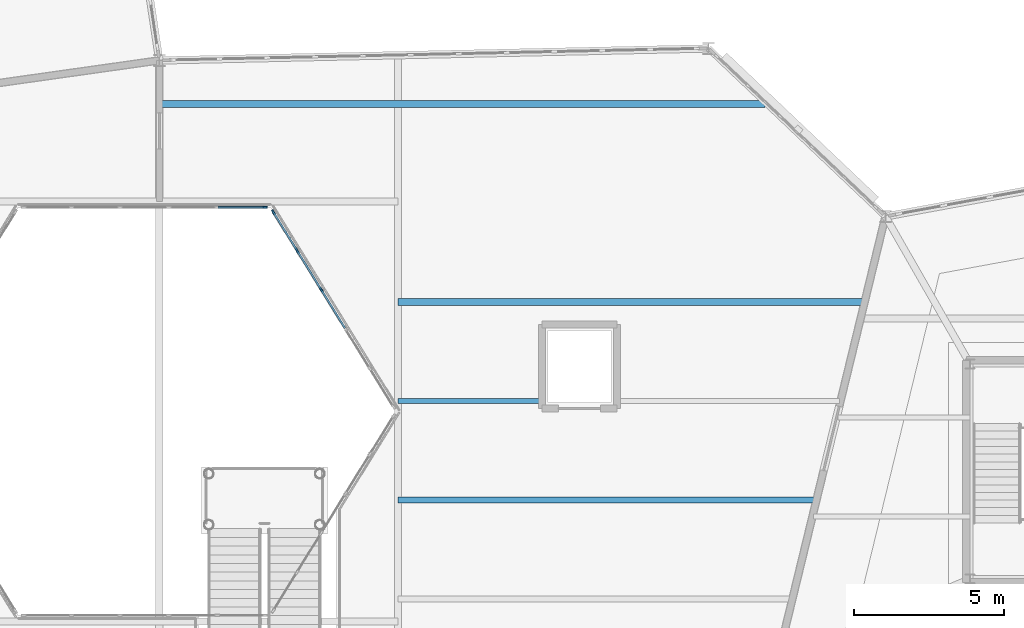
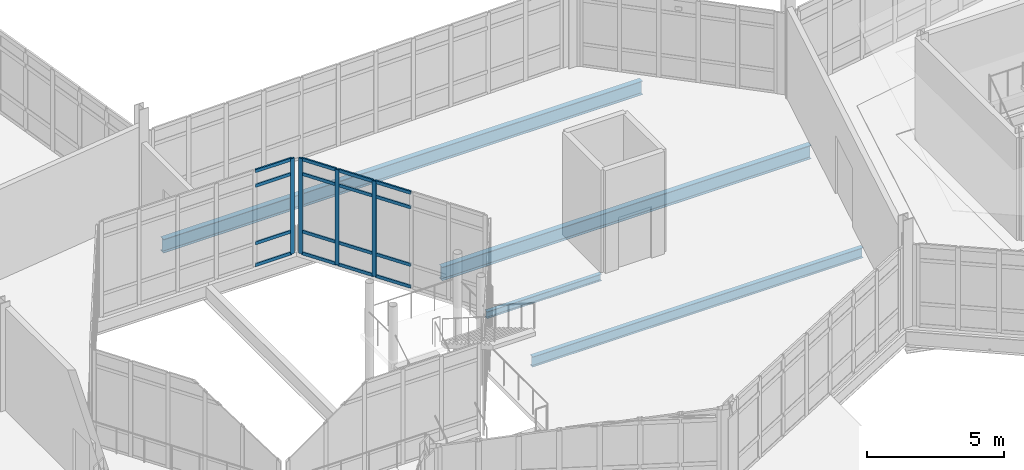
# One storey, part 45 of 134: 20 members, 4 beams, 2 elements without a shape of their own.
"""IFC4 building model written with IfcOpenShell, lengths in metres."""

from ifc_helpers import new_model, si_unit, direction, frame, origin, origin_2d, place, context, subcontext, project, spatial, rectangle, i_section, extrude, material, material_profile, profile_set, type_object, element, aggregate, save


model = new_model("IFC4")

# Units and contexts
model_context = context("Model", 3, precision=1e-05, world=origin(), true_north=direction((0.0, 1.0)))
body_context = subcontext(model_context, "Body", "Model", "MODEL_VIEW")
ifc_project = project(units=[si_unit("LENGTHUNIT", "METRE"), si_unit("AREAUNIT", "SQUARE_METRE"), si_unit("VOLUMEUNIT", "CUBIC_METRE"), si_unit("PLANEANGLEUNIT", "RADIAN"), si_unit("MASSUNIT", "GRAM", prefix="KILO")], contexts=[model_context])

# Site, building, storey
site_placement = place(None, origin())
site = spatial("IfcSite", under=ifc_project, at=site_placement, CompositionType="ELEMENT")
building_placement = place(site_placement, origin())
building = spatial("IfcBuilding", under=site, at=building_placement, Name="Tameran Prism Museum", CompositionType="ELEMENT")
storey_placement = place(building_placement, frame((0.0, 0.0, 5.39990234375)))
storey = spatial("IfcBuildingStorey", under=building, at=storey_placement, Name="L01", CompositionType="ELEMENT", Elevation=5.39990234375)

# Beams
ifc_material_1 = material(Name="Steel Grade 300PLUS (300 MPa)", Category="steel")
ifc_material_profile_1 = material_profile(ifc_material_1, i_section(OverallWidth=0.1650390625, OverallDepth=0.303955078125, WebThickness=0.006103515625, FlangeThickness=0.01025390625, FilletRadius=0.011474609375, at=origin_2d()))
ifc_profile_set_1 = profile_set([ifc_material_profile_1])
beam_type_1 = type_object("IfcBeamType", Name="BM-J310B", PredefinedType="JOIST", material=ifc_profile_set_1)
beam_1_placement = place(storey_placement, frame((85.449951171875, 36.85009765625, -0.351806640625), z_axis=(1.0, 0.0, 0.0), x_axis=(0.0, 1.0, 0.0)))
element("IfcBeam", 1, at=beam_1_placement, inside=storey, type_object=beam_type_1, Name="Floor Beam BM-0547", PredefinedType="JOIST", context=body_context, shape_type="SweptSolid", body=[
    extrude(i_section(OverallWidth=0.1650390625, OverallDepth=0.303955078125, WebThickness=0.006103515625, FlangeThickness=0.01025390625, FilletRadius=0.011474609375, at=origin_2d()), origin(), (0.0, 0.0, 1.0), 4.820068359375),
])
ifc_material_2 = material(Name="Steel Grade 300PLUS (300 MPa)", Category="steel")
ifc_material_profile_2 = material_profile(ifc_material_2, i_section(OverallWidth=0.18994140625, OverallDepth=0.4541015625, WebThickness=0.008544921875, FlangeThickness=0.0126953125, FilletRadius=0.011474609375, at=origin_2d()))
ifc_profile_set_2 = profile_set([ifc_material_profile_2])
beam_type_2 = type_object("IfcBeamType", Name="BM-J460B", PredefinedType="JOIST", material=ifc_profile_set_2)
beam_2_placement = place(storey_placement, frame((85.449951171875, 33.550048828125, -0.427001953125), z_axis=(1.0, 0.0, 0.0), x_axis=(0.0, 1.0, 0.0)))
element("IfcBeam", 2, at=beam_2_placement, inside=storey, type_object=beam_type_2, Name="Floor Beam BM-0546", PredefinedType="JOIST", context=body_context, shape_type="SweptSolid", body=[
    extrude(i_section(OverallWidth=0.18994140625, OverallDepth=0.4541015625, WebThickness=0.008544921875, FlangeThickness=0.0126953125, FilletRadius=0.011474609375, at=origin_2d()), origin(), (0.0, 0.0, 1.0), 13.91015625),
])
ifc_material_3 = material(Name="Steel Grade 300PLUS (300 MPa)", Category="steel")
ifc_material_profile_3 = material_profile(ifc_material_3, i_section(OverallWidth=0.22802734375, OverallDepth=0.60693359375, WebThickness=0.01123046875, FlangeThickness=0.017333984375, FilletRadius=0.013916015625, at=origin_2d()))
ifc_profile_set_3 = profile_set([ifc_material_profile_3])
beam_type_3 = type_object("IfcBeamType", Name="BM-UB610B", PredefinedType="BEAM", material=ifc_profile_set_3)
beam_3_placement = place(storey_placement, frame((85.449951171875, 40.14990234375, -0.50341796875), z_axis=(1.0, 0.0, 0.0), x_axis=(0.0, 1.0, 0.0)))
element("IfcBeam", 3, at=beam_3_placement, inside=storey, type_object=beam_type_3, Name="Floor Beam BM-0549", PredefinedType="BEAM", context=body_context, shape_type="SweptSolid", body=[
    extrude(i_section(OverallWidth=0.22802734375, OverallDepth=0.60693359375, WebThickness=0.01123046875, FlangeThickness=0.017333984375, FilletRadius=0.013916015625, at=origin_2d()), origin(), (0.0, 0.0, 1.0), 15.51611328125),
])
beam_4_placement = place(storey_placement, frame((77.5400390625, 46.75, -0.50341796875), z_axis=(1.0, 0.0, 0.0), x_axis=(0.0, 1.0, 0.0)))
element("IfcBeam", 4, at=beam_4_placement, inside=storey, type_object=beam_type_3, Name="Floor Beam BM-0550", PredefinedType="BEAM", context=body_context, shape_type="SweptSolid", body=[
    extrude(i_section(OverallWidth=0.22802734375, OverallDepth=0.60693359375, WebThickness=0.01123046875, FlangeThickness=0.017333984375, FilletRadius=0.013916015625, at=origin_2d()), origin(), (0.0, 0.0, 1.0), 20.15087890625),
])

# Curtain wall, members
ifc_material_4 = material(Name="Anodised Aluminium 6063-T6 and Cyclone Solar Glass", Category="aluminium")
curtain_wall_type_1 = type_object("IfcCurtainWallType", Name="CW-ATR-769x424", PredefinedType="USERDEFINED", material=ifc_material_4)
curtain_wall_1_placement = place(storey_placement, origin())
curtain_wall_1 = element("IfcCurtainWall", 5, at=curtain_wall_1_placement, inside=storey, type_object=curtain_wall_type_1, Name="Unitised Curtain Wall CW-004", ObjectType="UNITISED CURTAIN WALL", PredefinedType="USERDEFINED")
ifc_material_5 = material(Name="Anodised Aluminium Alloy 6063-T6", Category="aluminium")
ifc_material_profile_4 = material_profile(ifc_material_5, rectangle(XDim=0.06494140625, YDim=0.159912109375, at=origin_2d()))
ifc_profile_set_4 = profile_set([ifc_material_profile_4])
member_type_1 = type_object("IfcMemberType", Name="CW-MUL-A", PredefinedType="MULLION", material=ifc_profile_set_4)
member_1_placement = place(storey_placement, frame((82.895751953125, 40.554443359375, 0.0), z_axis=(0.0, 0.0, 1.0), x_axis=(-0.850791158897, -0.525503952357, 0.0)))
member_1 = element("IfcMember", 6, at=member_1_placement, type_object=member_type_1, Name="CW-004 mullion 4", PredefinedType="MULLION", context=body_context, shape_type="SweptSolid", body=[
    extrude(rectangle(XDim=0.06494140625, YDim=0.159912109375, at=origin_2d()), origin(), (0.0, 0.0, 1.0), 4.239990234375),
])
member_2_placement = place(storey_placement, frame((82.08740234375, 41.86328125, 0.0), z_axis=(0.0, 0.0, 1.0), x_axis=(-0.850791158897, -0.525503952357, 0.0)))
member_2 = element("IfcMember", 7, at=member_2_placement, type_object=member_type_1, Name="CW-004 mullion 5", PredefinedType="MULLION", context=body_context, shape_type="SweptSolid", body=[
    extrude(rectangle(XDim=0.06494140625, YDim=0.159912109375, at=origin_2d()), origin(), (0.0, 0.0, 1.0), 4.239990234375),
])
member_3_placement = place(storey_placement, frame((81.296142578125, 43.144287109375, 0.0), z_axis=(0.0, 0.0, 1.0), x_axis=(-0.850791158897, -0.525503952357, 0.0)))
member_3 = element("IfcMember", 8, at=member_3_placement, type_object=member_type_1, Name="CW-004 mullion 6", PredefinedType="MULLION", context=body_context, shape_type="SweptSolid", body=[
    extrude(rectangle(XDim=0.06494140625, YDim=0.159912109375, at=origin_2d()), origin(), (0.0, 0.0, 1.0), 4.239990234375),
])

# Curtain wall, member
ifc_material_6 = material(Name="Anodised Aluminium 6063-T6 and Cyclone Solar Glass", Category="aluminium")
curtain_wall_type_2 = type_object("IfcCurtainWallType", Name="CW-ATR-810x424", PredefinedType="USERDEFINED", material=ifc_material_6)
curtain_wall_2_placement = place(storey_placement, origin())
curtain_wall_2 = element("IfcCurtainWall", 9, at=curtain_wall_2_placement, inside=storey, type_object=curtain_wall_type_2, Name="Unitised Curtain Wall CW-005", ObjectType="UNITISED CURTAIN WALL", PredefinedType="USERDEFINED")
member_4_placement = place(storey_placement, frame((81.017578125, 43.300048828125, 0.0), z_axis=(0.0, 0.0, 1.0), x_axis=(0.0, -1.0, 0.0)))
member_4 = element("IfcMember", 10, at=member_4_placement, type_object=member_type_1, Name="CW-005 mullion 1", PredefinedType="MULLION", context=body_context, shape_type="SweptSolid", body=[
    extrude(rectangle(XDim=0.06494140625, YDim=0.159912109375, at=origin_2d()), origin(), (0.0, 0.0, 1.0), 4.239990234375),
])

# Member
ifc_material_7 = material(Name="Anodised Aluminium Alloy 6063-T6", Category="aluminium")
ifc_material_profile_5 = material_profile(ifc_material_7, rectangle(XDim=0.06494140625, YDim=0.139892578125, at=origin_2d()))
ifc_profile_set_5 = profile_set([ifc_material_profile_5])
member_type_2 = type_object("IfcMemberType", Name="CW-TRN-A", PredefinedType="USERDEFINED", material=ifc_profile_set_5)
member_5_placement = place(storey_placement, frame((83.68701171875, 39.273193359375, 0.03271484375), z_axis=(-0.525418798442, 0.850843749606, 0.0), x_axis=(-0.850843749606, -0.525418798442, 0.0)))
member_5 = element("IfcMember", 11, at=member_5_placement, type_object=member_type_2, Name="CW-004 transom 3.1", ObjectType="TRANSOM", PredefinedType="USERDEFINED", context=body_context, shape_type="SweptSolid", body=[
    extrude(rectangle(XDim=0.06494140625, YDim=0.139892578125, at=origin_2d()), origin(), (0.0, 0.0, 1.0), 1.473388671875),
])

member_6_placement = place(storey_placement, frame((83.68701171875, 39.273193359375, 1.0), z_axis=(-0.525418798442, 0.850843749606, 0.0), x_axis=(-0.850843749606, -0.525418798442, 0.0)))
member_6 = element("IfcMember", 12, at=member_6_placement, type_object=member_type_2, Name="CW-004 transom 3.2", ObjectType="TRANSOM", PredefinedType="USERDEFINED", context=body_context, shape_type="SweptSolid", body=[
    extrude(rectangle(XDim=0.06494140625, YDim=0.139892578125, at=origin_2d()), origin(), (0.0, 0.0, 1.0), 1.473388671875),
])

member_7_placement = place(storey_placement, frame((83.68701171875, 39.273193359375, 3.56005859375), z_axis=(-0.525418798442, 0.850843749606, 0.0), x_axis=(-0.850843749606, -0.525418798442, 0.0)))
member_7 = element("IfcMember", 13, at=member_7_placement, type_object=member_type_2, Name="CW-004 transom 3.3", ObjectType="TRANSOM", PredefinedType="USERDEFINED", context=body_context, shape_type="SweptSolid", body=[
    extrude(rectangle(XDim=0.06494140625, YDim=0.139892578125, at=origin_2d()), origin(), (0.0, 0.0, 1.0), 1.473388671875),
])

member_8_placement = place(storey_placement, frame((83.68701171875, 39.273193359375, 4.20751953125), z_axis=(-0.525418798442, 0.850843749606, 0.0), x_axis=(-0.850843749606, -0.525418798442, 0.0)))
member_8 = element("IfcMember", 14, at=member_8_placement, type_object=member_type_2, Name="CW-004 transom 3.4", ObjectType="TRANSOM", PredefinedType="USERDEFINED", context=body_context, shape_type="SweptSolid", body=[
    extrude(rectangle(XDim=0.06494140625, YDim=0.139892578125, at=origin_2d()), origin(), (0.0, 0.0, 1.0), 1.473388671875),
])

member_9_placement = place(storey_placement, frame((82.878662109375, 40.58203125, 0.03271484375), z_axis=(-0.525492880722, 0.850797997359, 0.0), x_axis=(-0.850797997359, -0.525492880722, 0.0)))
member_9 = element("IfcMember", 15, at=member_9_placement, type_object=member_type_2, Name="CW-004 transom 4.1", ObjectType="TRANSOM", PredefinedType="USERDEFINED", context=body_context, shape_type="SweptSolid", body=[
    extrude(rectangle(XDim=0.06494140625, YDim=0.139892578125, at=origin_2d()), origin(), (0.0, 0.0, 1.0), 1.47314453125),
])

member_10_placement = place(storey_placement, frame((82.878662109375, 40.58203125, 1.0), z_axis=(-0.525492880722, 0.850797997359, 0.0), x_axis=(-0.850797997359, -0.525492880722, 0.0)))
member_10 = element("IfcMember", 16, at=member_10_placement, type_object=member_type_2, Name="CW-004 transom 4.2", ObjectType="TRANSOM", PredefinedType="USERDEFINED", context=body_context, shape_type="SweptSolid", body=[
    extrude(rectangle(XDim=0.06494140625, YDim=0.139892578125, at=origin_2d()), origin(), (0.0, 0.0, 1.0), 1.47314453125),
])

member_11_placement = place(storey_placement, frame((82.878662109375, 40.58203125, 3.56005859375), z_axis=(-0.525492880722, 0.850797997359, 0.0), x_axis=(-0.850797997359, -0.525492880722, 0.0)))
member_11 = element("IfcMember", 17, at=member_11_placement, type_object=member_type_2, Name="CW-004 transom 4.3", ObjectType="TRANSOM", PredefinedType="USERDEFINED", context=body_context, shape_type="SweptSolid", body=[
    extrude(rectangle(XDim=0.06494140625, YDim=0.139892578125, at=origin_2d()), origin(), (0.0, 0.0, 1.0), 1.47314453125),
])

member_12_placement = place(storey_placement, frame((82.878662109375, 40.58203125, 4.20751953125), z_axis=(-0.525492880722, 0.850797997359, 0.0), x_axis=(-0.850797997359, -0.525492880722, 0.0)))
member_12 = element("IfcMember", 18, at=member_12_placement, type_object=member_type_2, Name="CW-004 transom 4.4", ObjectType="TRANSOM", PredefinedType="USERDEFINED", context=body_context, shape_type="SweptSolid", body=[
    extrude(rectangle(XDim=0.06494140625, YDim=0.139892578125, at=origin_2d()), origin(), (0.0, 0.0, 1.0), 1.47314453125),
])

member_13_placement = place(storey_placement, frame((82.0703125, 41.890869140625, 0.03271484375), z_axis=(-0.525467627301, 0.850813594543, 0.0), x_axis=(-0.850813594543, -0.525467627301, 0.0)))
member_13 = element("IfcMember", 19, at=member_13_placement, type_object=member_type_2, Name="CW-004 transom 5.1", ObjectType="TRANSOM", PredefinedType="USERDEFINED", context=body_context, shape_type="SweptSolid", body=[
    extrude(rectangle(XDim=0.06494140625, YDim=0.139892578125, at=origin_2d()), origin(), (0.0, 0.0, 1.0), 1.440673828125),
])

member_14_placement = place(storey_placement, frame((82.0703125, 41.890869140625, 1.0), z_axis=(-0.525467627301, 0.850813594543, 0.0), x_axis=(-0.850813594543, -0.525467627301, 0.0)))
member_14 = element("IfcMember", 20, at=member_14_placement, type_object=member_type_2, Name="CW-004 transom 5.2", ObjectType="TRANSOM", PredefinedType="USERDEFINED", context=body_context, shape_type="SweptSolid", body=[
    extrude(rectangle(XDim=0.06494140625, YDim=0.139892578125, at=origin_2d()), origin(), (0.0, 0.0, 1.0), 1.440673828125),
])

member_15_placement = place(storey_placement, frame((82.0703125, 41.890869140625, 3.56005859375), z_axis=(-0.525467627301, 0.850813594543, 0.0), x_axis=(-0.850813594543, -0.525467627301, 0.0)))
member_15 = element("IfcMember", 21, at=member_15_placement, type_object=member_type_2, Name="CW-004 transom 5.3", ObjectType="TRANSOM", PredefinedType="USERDEFINED", context=body_context, shape_type="SweptSolid", body=[
    extrude(rectangle(XDim=0.06494140625, YDim=0.139892578125, at=origin_2d()), origin(), (0.0, 0.0, 1.0), 1.440673828125),
])

member_16_placement = place(storey_placement, frame((82.0703125, 41.890869140625, 4.20751953125), z_axis=(-0.525467627301, 0.850813594543, 0.0), x_axis=(-0.850813594543, -0.525467627301, 0.0)))
member_16 = element("IfcMember", 22, at=member_16_placement, type_object=member_type_2, Name="CW-004 transom 5.4", ObjectType="TRANSOM", PredefinedType="USERDEFINED", context=body_context, shape_type="SweptSolid", body=[
    extrude(rectangle(XDim=0.06494140625, YDim=0.139892578125, at=origin_2d()), origin(), (0.0, 0.0, 1.0), 1.440673828125),
])

aggregate(curtain_wall_1, [member_1, member_2, member_3, member_5, member_6, member_7, member_8, member_9, member_10, member_11, member_12, member_13, member_14, member_15, member_16])

member_17_placement = place(storey_placement, frame((80.985107421875, 43.300048828125, 0.03271484375), z_axis=(-1.0, 0.0, 0.0), x_axis=(0.0, -1.0, 0.0)))
member_17 = element("IfcMember", 23, at=member_17_placement, type_object=member_type_2, Name="CW-005 transom 1.1", ObjectType="TRANSOM", PredefinedType="USERDEFINED", context=body_context, shape_type="SweptSolid", body=[
    extrude(rectangle(XDim=0.06494140625, YDim=0.139892578125, at=origin_2d()), origin(), (0.0, 0.0, 1.0), 1.522705078125),
])

member_18_placement = place(storey_placement, frame((80.985107421875, 43.300048828125, 1.0), z_axis=(-1.0, 0.0, 0.0), x_axis=(0.0, -1.0, 0.0)))
member_18 = element("IfcMember", 24, at=member_18_placement, type_object=member_type_2, Name="CW-005 transom 1.2", ObjectType="TRANSOM", PredefinedType="USERDEFINED", context=body_context, shape_type="SweptSolid", body=[
    extrude(rectangle(XDim=0.06494140625, YDim=0.139892578125, at=origin_2d()), origin(), (0.0, 0.0, 1.0), 1.522705078125),
])

member_19_placement = place(storey_placement, frame((80.985107421875, 43.300048828125, 3.56005859375), z_axis=(-1.0, 0.0, 0.0), x_axis=(0.0, -1.0, 0.0)))
member_19 = element("IfcMember", 25, at=member_19_placement, type_object=member_type_2, Name="CW-005 transom 1.3", ObjectType="TRANSOM", PredefinedType="USERDEFINED", context=body_context, shape_type="SweptSolid", body=[
    extrude(rectangle(XDim=0.06494140625, YDim=0.139892578125, at=origin_2d()), origin(), (0.0, 0.0, 1.0), 1.522705078125),
])

member_20_placement = place(storey_placement, frame((80.985107421875, 43.300048828125, 4.20751953125), z_axis=(-1.0, 0.0, 0.0), x_axis=(0.0, -1.0, 0.0)))
member_20 = element("IfcMember", 26, at=member_20_placement, type_object=member_type_2, Name="CW-005 transom 1.4", ObjectType="TRANSOM", PredefinedType="USERDEFINED", context=body_context, shape_type="SweptSolid", body=[
    extrude(rectangle(XDim=0.06494140625, YDim=0.139892578125, at=origin_2d()), origin(), (0.0, 0.0, 1.0), 1.522705078125),
])

aggregate(curtain_wall_2, [member_4, member_17, member_18, member_19, member_20])

save(model, "model.ifc")
